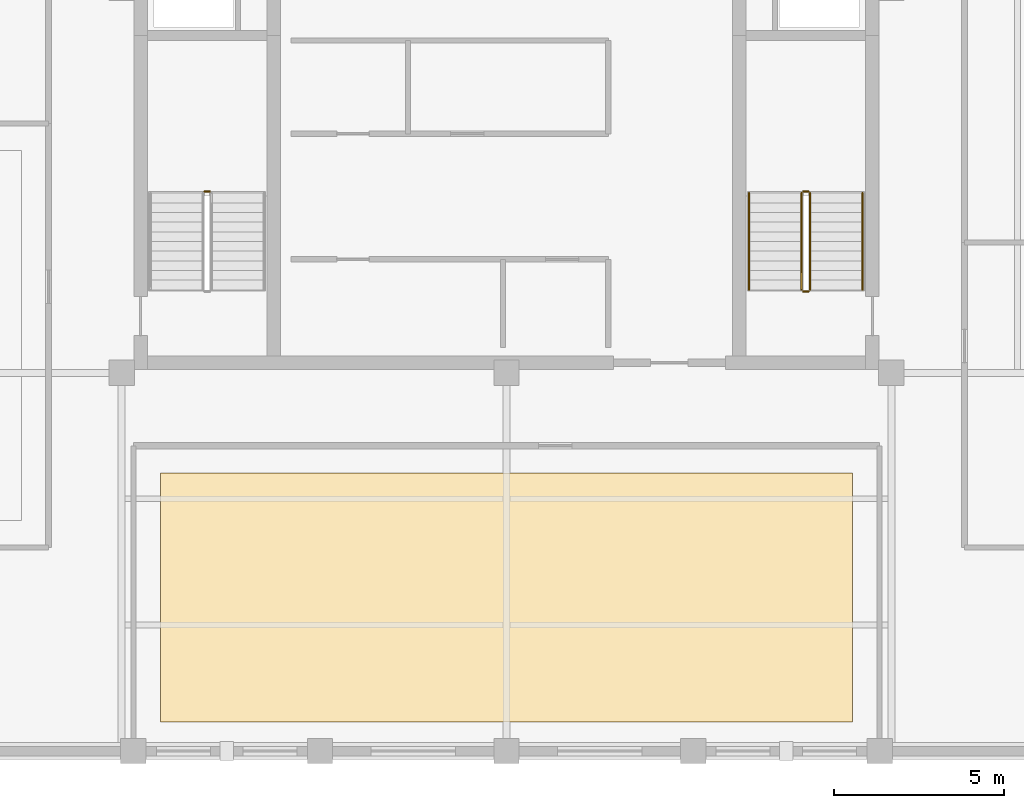
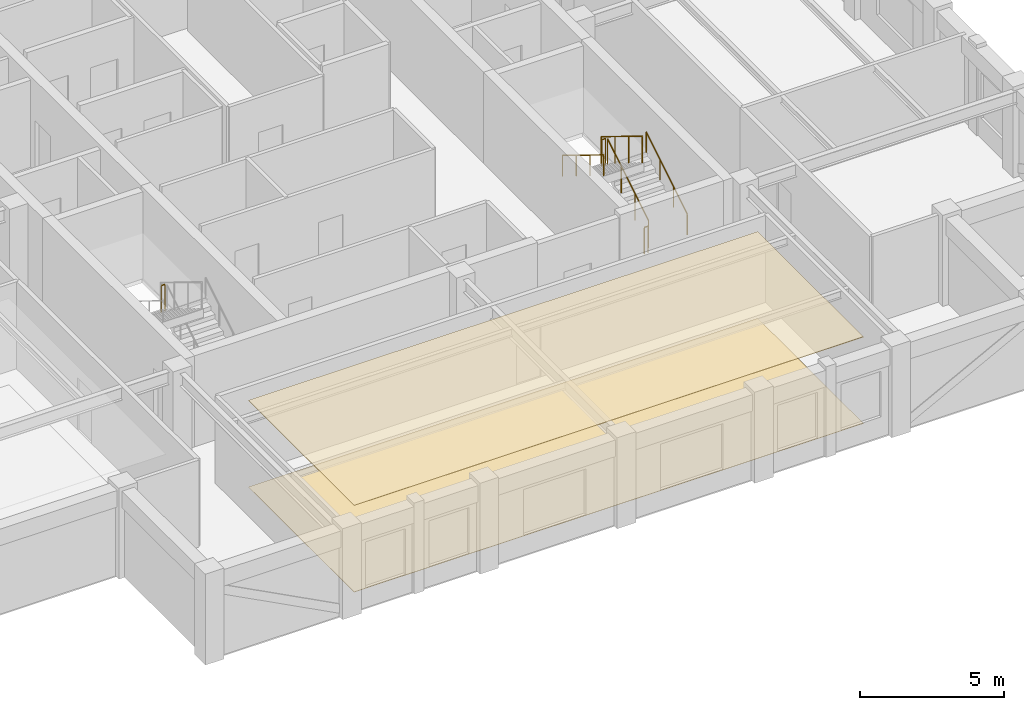
# One storey, part 8 of 9: 7 railings, 2 coverings.
"""IFC4 building model written with IfcOpenShell, lengths in metres."""

import ifcopenshell
import ifcopenshell.guid

model = None  # the IFC model being written
_history = None  # IfcOwnerHistory: only IFC2X3 demands one
_inside = {}  # id of a spatial element -> (the spatial element, [elements in it])
_under = {}  # id of a project, library or spatial element -> (it, [spatial elements below it])
_declared = {}  # id of a project -> (the project, [libraries it declares])
_typed = {}  # id of a type object -> (the type object, [elements of that type])
_made_of = {}  # id of a material, layer set ... -> (it, [elements and type objects made of it])


def new_model(schema):
    """Start an empty IFC model of exactly this schema.

    Asked for "IFC4X3", IfcOpenShell would pick the latest addendum, in which some entities
    have other attributes; the version numbers below select the first issue.
    IFC2X3 requires an IfcOwnerHistory on every rooted entity: one is made here for all.
    """
    global model, _history
    if schema == "IFC4X3":
        model = ifcopenshell.file(schema_version=(4, 3, 0, 0))
    else:
        model = ifcopenshell.file(schema=schema)
    _inside.clear()
    _under.clear()
    _declared.clear()
    _typed.clear()
    _made_of.clear()
    _history = None
    if model.schema == "IFC2X3":
        org = make("IfcOrganization", Name="unknown")
        user = make(
            "IfcPersonAndOrganization",
            ThePerson=make("IfcPerson", FamilyName="unknown"),
            TheOrganization=org,
        )
        app = make(
            "IfcApplication",
            ApplicationDeveloper=org,
            Version="unknown",
            ApplicationFullName="unknown",
            ApplicationIdentifier="unknown",
        )
        _history = make(
            "IfcOwnerHistory",
            OwningUser=user,
            OwningApplication=app,
            ChangeAction="ADDED",
            CreationDate=0,
        )
    return model


def make(cls, **values):
    """One entity of the class cls with the attributes given. An attribute that is None is left unset."""
    return model.create_entity(
        cls, **{name: value for name, value in values.items() if value is not None}
    )


def rooted(cls, **values):
    """An entity with a GlobalId (a new one), such as an element, a storey or a relation."""
    return make(cls, GlobalId=ifcopenshell.guid.new(), OwnerHistory=_history, **values)


def si_unit(unit_type, name, prefix=None):
    """IfcSIUnit, for example si_unit("LENGTHUNIT", "METRE", prefix="MILLI")."""
    return make("IfcSIUnit", UnitType=unit_type, Prefix=prefix, Name=name)


def assignment(units):
    """IfcUnitAssignment: the units of a project."""
    return None if units is None else make("IfcUnitAssignment", Units=units)


def point(xyz):
    """IfcCartesianPoint."""
    return None if xyz is None else make("IfcCartesianPoint", Coordinates=xyz)


def direction(xyz):
    """IfcDirection."""
    return None if xyz is None else make("IfcDirection", DirectionRatios=xyz)


def frame(location, z_axis=None, x_axis=None):
    """IfcAxis2Placement3D, a coordinate frame: its origin and axes. An axis left out is left unset."""
    return make(
        "IfcAxis2Placement3D",
        Location=point(location),
        Axis=direction(z_axis),
        RefDirection=direction(x_axis),
    )


def frame_2d(location, x_axis=None):
    """IfcAxis2Placement2D, a coordinate frame in the plane: its origin and x axis."""
    return make(
        "IfcAxis2Placement2D", Location=point(location), RefDirection=direction(x_axis)
    )


def origin():
    """The frame at (0, 0, 0) with its axes left unset."""
    return frame((0.0, 0.0, 0.0))


def origin_2d():
    """The frame at (0, 0) in the plane with its x axis left unset."""
    return frame_2d((0.0, 0.0))


def place(relative_to, where):
    """IfcLocalPlacement: puts the frame where relative to a parent placement (None: the world)."""
    return make(
        "IfcLocalPlacement", PlacementRelTo=relative_to, RelativePlacement=where
    )


def context(
    kind, dimensions, precision=None, world=None, true_north=None, identifier=None
):
    """IfcGeometricRepresentationContext, for example the 3D "Model" context."""
    return make(
        "IfcGeometricRepresentationContext",
        ContextIdentifier=identifier,
        ContextType=kind,
        CoordinateSpaceDimension=dimensions,
        Precision=precision,
        WorldCoordinateSystem=world,
        TrueNorth=true_north,
    )


def subcontext(parent, identifier, kind, view, scale=None):
    """IfcGeometricRepresentationSubContext, for example "Body" below "Model"."""
    return make(
        "IfcGeometricRepresentationSubContext",
        ContextIdentifier=identifier,
        ContextType=kind,
        ParentContext=parent,
        TargetScale=scale,
        TargetView=view,
    )


def project(units=None, contexts=None):
    """IfcProject with its units and contexts."""
    return rooted(
        "IfcProject",
        Name="project",
        RepresentationContexts=contexts,
        UnitsInContext=assignment(units),
    )


def spatial(cls, under=None, at=None, **own):
    """A site, building, storey or space (cls), placed at a placement, below another one or the project."""
    s = rooted(cls, ObjectPlacement=at, **own)
    if under is not None:
        _under.setdefault(under.id(), (under, []))[1].append(s)
    return s


def polyline(points):
    """IfcPolyline through the points."""
    return make("IfcPolyline", Points=[point(p) for p in points])


def profile(cls, at=None, kind="AREA", **sizes):
    """A parametric profile (cls). Its sizes go by their IFC names, for example OverallWidth=200.0."""
    return make(cls, ProfileType=kind, Position=at, **sizes)


def circle(**sizes):
    """IfcCircleProfileDef."""
    return profile("IfcCircleProfileDef", **sizes)


def outline(outer, holes=None, kind="AREA"):
    """IfcArbitraryClosedProfileDef: a profile drawn as a closed curve; with holes, ...WithVoids."""
    if holes is None:
        return make("IfcArbitraryClosedProfileDef", ProfileType=kind, OuterCurve=outer)
    return make(
        "IfcArbitraryProfileDefWithVoids",
        ProfileType=kind,
        OuterCurve=outer,
        InnerCurves=holes,
    )


def extrude(swept, where, along, depth):
    """IfcExtrudedAreaSolid: the profile swept, set in the frame where, extruded along a direction by depth."""
    return make(
        "IfcExtrudedAreaSolid",
        SweptArea=swept,
        Position=where,
        ExtrudedDirection=direction(along),
        Depth=depth,
    )


def shape(context_of_items, identifier, shape_type, items):
    """IfcShapeRepresentation: the items that make up one representation, for example the "Body"."""
    return make(
        "IfcShapeRepresentation",
        ContextOfItems=context_of_items,
        RepresentationIdentifier=identifier,
        RepresentationType=shape_type,
        Items=items,
    )


def material(Name=None, Category=None):
    """IfcMaterial."""
    return make("IfcMaterial", Name=Name, Category=Category)


def layer(
    of_material, thickness, ventilated=None, Name=None, Category=None, Priority=None
):
    """IfcMaterialLayer: one layer of a wall or slab, of a material (None: an air gap)."""
    return make(
        "IfcMaterialLayer",
        Material=of_material,
        LayerThickness=thickness,
        IsVentilated=ventilated,
        Name=Name,
        Category=Category,
        Priority=Priority,
    )


def layer_set(layers, Name=None):
    """IfcMaterialLayerSet."""
    return make("IfcMaterialLayerSet", MaterialLayers=layers, LayerSetName=Name)


def made_of(thing, what):
    """Note that an element or type object is made of a material, layer set ...; save() writes the relation."""
    if what is not None:
        _made_of.setdefault(what.id(), (what, []))[1].append(thing)
    return thing


def type_object(cls, material=None, **own):
    """A type object (cls), such as IfcWallType, which elements share."""
    return made_of(rooted(cls, **own), material)


def element(
    cls,
    number,
    at=None,
    inside=None,
    cuts=None,
    type_object=None,
    material=None,
    context=None,
    identifier="Body",
    shape_type=None,
    held_by="IfcProductDefinitionShape",
    body=None,
    shapes=None,
    **own,
):
    """One element of the class cls, such as IfcWall. Its Tag is "e" and its number.

    at: its placement. inside: the storey or other place that contains it. cuts: it is an
    opening in that element (IfcRelVoidsElement). A single representation is given by context,
    identifier, shape_type and body (its items); several are given by shapes. held_by: the class
    of the entity that holds the representations. save() writes the other relations.
    """
    e = rooted(cls, Tag="e%d" % number, ObjectPlacement=at, **own)
    if body is not None:
        shapes = [shape(context, identifier, shape_type, body)]
    if shapes is not None:
        e.Representation = make(held_by, Representations=shapes)
    if inside is not None:
        _inside.setdefault(inside.id(), (inside, []))[1].append(e)
    if cuts is not None:
        rooted(
            "IfcRelVoidsElement", RelatingBuildingElement=cuts, RelatedOpeningElement=e
        )
    if type_object is not None:
        _typed.setdefault(type_object.id(), (type_object, []))[1].append(e)
    return made_of(e, material)


def aggregate(whole, parts):
    """IfcRelAggregates: a whole, such as a stair, and the parts it consists of."""
    return rooted("IfcRelAggregates", RelatingObject=whole, RelatedObjects=parts)


def save(model, path):
    """Write the relations noted so far, then the file.

    IfcRelAggregates (storeys below a building ...), IfcRelContainedInSpatialStructure (elements
    in a storey), IfcRelDefinesByType, IfcRelAssociatesMaterial and IfcRelDeclares: one each for
    every whole, place, type object, material and project.
    """
    for whole, parts in _under.values():
        aggregate(whole, parts)
    for where, things in _inside.values():
        rooted(
            "IfcRelContainedInSpatialStructure",
            RelatedElements=things,
            RelatingStructure=where,
        )
    for kind, things in _typed.values():
        rooted("IfcRelDefinesByType", RelatedObjects=things, RelatingType=kind)
    for what, things in _made_of.values():
        rooted("IfcRelAssociatesMaterial", RelatedObjects=things, RelatingMaterial=what)
    for by, libraries in _declared.values():
        rooted("IfcRelDeclares", RelatingContext=by, RelatedDefinitions=libraries)
    model.write(path)


model = new_model("IFC4")

# Units and contexts
model_context = context("Model", 3, precision=1e-05, world=origin(), true_north=direction((0.0, 1.0)))
body_context = subcontext(model_context, "Body", "Model", "MODEL_VIEW")
ifc_project = project(units=[si_unit("LENGTHUNIT", "METRE"), si_unit("AREAUNIT", "SQUARE_METRE"), si_unit("VOLUMEUNIT", "CUBIC_METRE"), si_unit("PLANEANGLEUNIT", "RADIAN"), si_unit("MASSUNIT", "GRAM", prefix="KILO")], contexts=[model_context])

# Site, building, storey
site_placement = place(None, origin())
site = spatial("IfcSite", under=ifc_project, at=site_placement, CompositionType="ELEMENT")
building_placement = place(site_placement, origin())
building = spatial("IfcBuilding", under=site, at=building_placement, Name="Nhamokura Convention Tower", CompositionType="ELEMENT")
storey_placement = place(building_placement, frame((0.0, 0.0, 273.699951171875)))
storey = spatial("IfcBuildingStorey", under=building, at=storey_placement, Name="L67", CompositionType="ELEMENT", Elevation=273.699951171875)

# Covering
ifc_material_1 = material(Name="Mineral-fibre acoustic ceiling tile", Category="gypsum")
ifc_layer_1 = layer(ifc_material_1, 0.02490234375)
ifc_layer_set_1 = layer_set([ifc_layer_1], Name="AcousticTileCeiling_25")
covering_type_1 = type_object("IfcCoveringType", Name="AcousticTileCeiling_25", PredefinedType="CEILING", material=ifc_layer_set_1)
covering_1_placement = place(storey_placement, frame((0.0, 0.0, 3.66015625)))
element("IfcCovering", 1, at=covering_1_placement, inside=storey, type_object=covering_type_1, Name="L67 Suspended Ceiling 01", PredefinedType="CEILING", context=body_context, shape_type="SweptSolid", body=[
    extrude(outline(polyline([(21.800048828125, 10.360107421875), (42.199951171875, 10.360107421875), (42.199951171875, 17.699951171875), (21.800048828125, 17.699951171875), (21.800048828125, 10.360107421875)])), origin(), (0.0, 0.0, 1.0), 0.02490234375),
])

# Railings
ifc_material_2 = material(Name="Anodised bronze stainless steel", Category="steel")
railing_type_1 = type_object("IfcRailingType", Name="StairWallHandrail_900", PredefinedType="HANDRAIL", material=ifc_material_2)
railing_1_placement = place(storey_placement, frame((42.5, 23.10009765625, 0.175048828125)))
element("IfcRailing", 2, at=railing_1_placement, inside=storey, type_object=railing_type_1, Name="L67 ST-02 stair handrail 1", PredefinedType="HANDRAIL", context=body_context, shape_type="SweptSolid", body=[
    extrude(circle(Radius=0.02392578125, at=origin_2d()), frame((0.0, 0.0, 0.8759765625), z_axis=(0.0, 0.852159232446, 0.523282564737), x_axis=(-1.0, 0.0, 0.0)), (0.0, 0.0, 1.0), 3.34423828125),
    extrude(circle(Radius=0.02099609375, at=origin_2d()), origin(), (0.0, 0.0, 1.0), 0.851806640625),
    extrude(circle(Radius=0.02099609375, at=origin_2d()), frame((0.0, 0.949951171875, 0.583251953125)), (0.0, 0.0, 1.0), 0.851806640625),
    extrude(circle(Radius=0.02099609375, at=origin_2d()), frame((0.0, 1.89990234375, 1.166748046875)), (0.0, 0.0, 1.0), 0.851806640625),
    extrude(circle(Radius=0.02099609375, at=origin_2d()), frame((0.0, 2.849853515625, 1.75)), (0.0, 0.0, 1.0), 0.851806640625),
])
railing_2_placement = place(storey_placement, frame((39.14990234375, 25.949951171875, 2.10009765625)))
element("IfcRailing", 3, at=railing_2_placement, inside=storey, type_object=railing_type_1, Name="L67 ST-02 stair handrail 2", PredefinedType="HANDRAIL", context=body_context, shape_type="SweptSolid", body=[
    extrude(circle(Radius=0.02392578125, at=origin_2d()), frame((0.0, 0.0, 0.8759765625), z_axis=(0.0, -0.852159232446, 0.523282564737), x_axis=(1.0, 0.0, 0.0)), (0.0, 0.0, 1.0), 3.34423828125),
    extrude(circle(Radius=0.02099609375, at=origin_2d()), origin(), (0.0, 0.0, 1.0), 0.851806640625),
    extrude(circle(Radius=0.02099609375, at=origin_2d()), frame((0.0, -0.949951171875, 0.583251953125)), (0.0, 0.0, 1.0), 0.851806640625),
    extrude(circle(Radius=0.02099609375, at=origin_2d()), frame((0.0, -1.89990234375, 1.166748046875)), (0.0, 0.0, 1.0), 0.851806640625),
    extrude(circle(Radius=0.02099609375, at=origin_2d()), frame((0.0, -2.849853515625, 1.75)), (0.0, 0.0, 1.0), 0.851806640625),
])
ifc_material_3 = material(Name="Painted tubular steel", Category="steel")
railing_type_2 = type_object("IfcRailingType", Name="StairWellGuardrail_1150", PredefinedType="GUARDRAIL", material=ifc_material_3)
railing_3_placement = place(storey_placement, frame((23.25, 26.0, 1.925048828125)))
element("IfcRailing", 4, at=railing_3_placement, inside=storey, type_object=railing_type_2, Name="L67 ST-01 stair guard 2", PredefinedType="GUARDRAIL", context=body_context, shape_type="SweptSolid", body=[
    extrude(circle(Radius=0.02392578125, at=origin_2d()), frame((0.0, 0.0, 1.1259765625), z_axis=(-1.0, 0.0, 0.0), x_axis=(0.0, -1.0, 0.0)), (0.0, 0.0, 1.0), 0.14990234375),
    extrude(circle(Radius=0.02099609375, at=origin_2d()), origin(), (0.0, 0.0, 1.0), 1.101806640625),
    extrude(circle(Radius=0.02099609375, at=origin_2d()), frame((-0.14990234375, 0.0, 0.0)), (0.0, 0.0, 1.0), 1.101806640625),
])
railing_4_placement = place(storey_placement, frame((40.949951171875, 23.10009765625, 0.175048828125)))
element("IfcRailing", 5, at=railing_4_placement, inside=storey, type_object=railing_type_2, Name="L67 ST-02 stair guard 1", PredefinedType="GUARDRAIL", context=body_context, shape_type="SweptSolid", body=[
    extrude(circle(Radius=0.02392578125, at=origin_2d()), frame((0.0, 0.0, 1.1259765625), z_axis=(0.0, 0.852159232446, 0.523282564737), x_axis=(-1.0, 0.0, 0.0)), (0.0, 0.0, 1.0), 3.34423828125),
    extrude(circle(Radius=0.02099609375, at=origin_2d()), origin(), (0.0, 0.0, 1.0), 1.101806640625),
    extrude(circle(Radius=0.02099609375, at=origin_2d()), frame((0.0, 0.949951171875, 0.583251953125)), (0.0, 0.0, 1.0), 1.101806640625),
    extrude(circle(Radius=0.02099609375, at=origin_2d()), frame((0.0, 1.89990234375, 1.166748046875)), (0.0, 0.0, 1.0), 1.101806640625),
    extrude(circle(Radius=0.02099609375, at=origin_2d()), frame((0.0, 2.849853515625, 1.75)), (0.0, 0.0, 1.0), 1.101806640625),
])
railing_5_placement = place(storey_placement, frame((40.89990234375, 26.0, 1.925048828125)))
element("IfcRailing", 6, at=railing_5_placement, inside=storey, type_object=railing_type_2, Name="L67 ST-02 stair guard 2", PredefinedType="GUARDRAIL", context=body_context, shape_type="SweptSolid", body=[
    extrude(circle(Radius=0.02392578125, at=origin_2d()), frame((0.0, 0.0, 1.1259765625), z_axis=(-1.0, 0.0, 0.0), x_axis=(0.0, -1.0, 0.0)), (0.0, 0.0, 1.0), 0.14990234375),
    extrude(circle(Radius=0.02099609375, at=origin_2d()), origin(), (0.0, 0.0, 1.0), 1.101806640625),
    extrude(circle(Radius=0.02099609375, at=origin_2d()), frame((-0.14990234375, 0.0, 0.0)), (0.0, 0.0, 1.0), 1.101806640625),
])
railing_6_placement = place(storey_placement, frame((40.699951171875, 25.949951171875, 2.10009765625)))
element("IfcRailing", 7, at=railing_6_placement, inside=storey, type_object=railing_type_2, Name="L67 ST-02 stair guard 3", PredefinedType="GUARDRAIL", context=body_context, shape_type="SweptSolid", body=[
    extrude(circle(Radius=0.02392578125, at=origin_2d()), frame((0.0, 0.0, 1.1259765625), z_axis=(0.0, -0.852159232446, 0.523282564737), x_axis=(1.0, 0.0, 0.0)), (0.0, 0.0, 1.0), 3.34423828125),
    extrude(circle(Radius=0.02099609375, at=origin_2d()), origin(), (0.0, 0.0, 1.0), 1.101806640625),
    extrude(circle(Radius=0.02099609375, at=origin_2d()), frame((0.0, -0.949951171875, 0.583251953125)), (0.0, 0.0, 1.0), 1.101806640625),
    extrude(circle(Radius=0.02099609375, at=origin_2d()), frame((0.0, -1.89990234375, 1.166748046875)), (0.0, 0.0, 1.0), 1.101806640625),
    extrude(circle(Radius=0.02099609375, at=origin_2d()), frame((0.0, -2.849853515625, 1.75)), (0.0, 0.0, 1.0), 1.101806640625),
])
railing_7_placement = place(storey_placement, frame((40.89990234375, 23.050048828125, 0.0)))
element("IfcRailing", 8, at=railing_7_placement, inside=storey, type_object=railing_type_2, Name="L67 ST-02 stair guard 4", PredefinedType="GUARDRAIL", context=body_context, shape_type="SweptSolid", body=[
    extrude(circle(Radius=0.02392578125, at=origin_2d()), frame((0.0, 0.0, 1.1259765625), z_axis=(-1.0, 0.0, 0.0), x_axis=(0.0, -1.0, 0.0)), (0.0, 0.0, 1.0), 0.14990234375),
    extrude(circle(Radius=0.02099609375, at=origin_2d()), origin(), (0.0, 0.0, 1.0), 1.101806640625),
    extrude(circle(Radius=0.02099609375, at=origin_2d()), frame((-0.14990234375, 0.0, 0.0)), (0.0, 0.0, 1.0), 1.101806640625),
])

# Covering
ifc_material_4 = material(Name="Acoustic woven hospitality carpet", Category="wood")
ifc_layer_2 = layer(ifc_material_4, 0.014892578125)
ifc_layer_set_2 = layer_set([ifc_layer_2], Name="WovenCarpetFlooring_15")
covering_type_2 = type_object("IfcCoveringType", Name="WovenCarpetFlooring_15", PredefinedType="FLOORING", material=ifc_layer_set_2)
covering_2_placement = place(storey_placement, origin())
element("IfcCovering", 9, at=covering_2_placement, inside=storey, type_object=covering_type_2, Name="L67 Finish Flooring 01", PredefinedType="FLOORING", context=body_context, shape_type="SweptSolid", body=[
    extrude(outline(polyline([(21.800048828125, 10.360107421875), (42.199951171875, 10.360107421875), (42.199951171875, 17.699951171875), (21.800048828125, 17.699951171875), (21.800048828125, 10.360107421875)])), origin(), (0.0, 0.0, 1.0), 0.01513671875),
])

save(model, "model.ifc")
